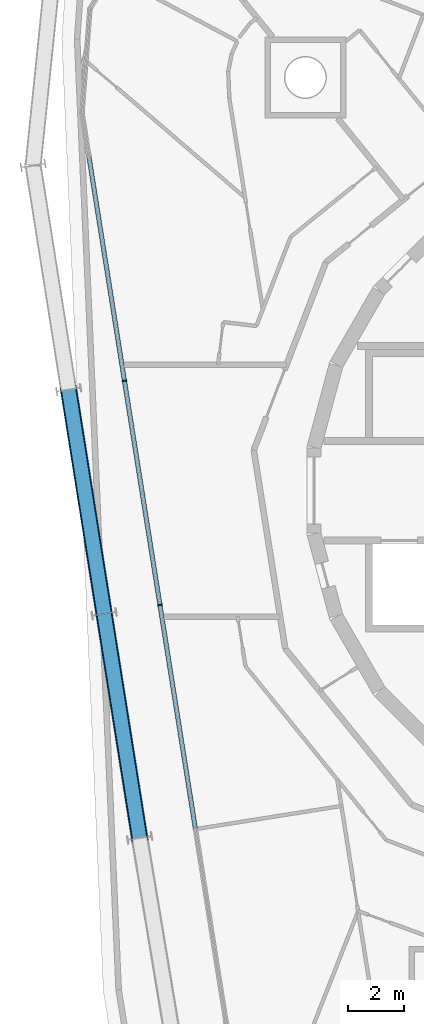
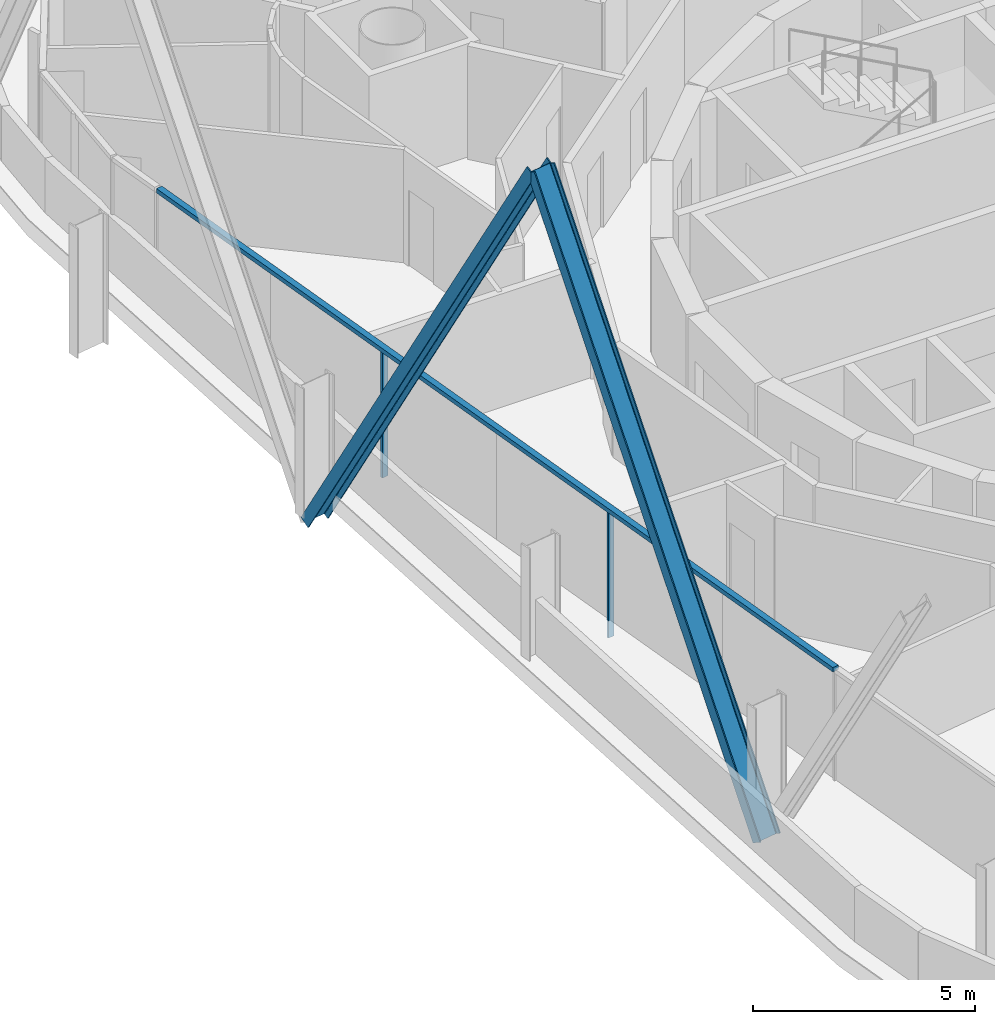
# One storey, part 3 of 19: 5 members, 1 element without a shape of its own.
"""IFC4 building model written with IfcOpenShell, lengths in metres."""

from ifc_helpers import new_model, si_unit, direction, frame, origin, origin_2d, place, context, subcontext, project, spatial, rectangle, i_section, extrude, material, layer, layer_set, material_profile, profile_set, type_object, element, aggregate, save


model = new_model("IFC4")

# Units and contexts
model_context = context("Model", 3, precision=1e-05, world=origin(), true_north=direction((0.0, 1.0)))
body_context = subcontext(model_context, "Body", "Model", "MODEL_VIEW")
ifc_project = project(units=[si_unit("LENGTHUNIT", "METRE"), si_unit("AREAUNIT", "SQUARE_METRE"), si_unit("VOLUMEUNIT", "CUBIC_METRE"), si_unit("PLANEANGLEUNIT", "RADIAN"), si_unit("MASSUNIT", "GRAM", prefix="KILO")], contexts=[model_context])

# Site, building, storey
site_placement = place(None, origin())
site = spatial("IfcSite", under=ifc_project, at=site_placement, CompositionType="ELEMENT")
building_placement = place(site_placement, origin())
building = spatial("IfcBuilding", under=site, at=building_placement, Name="Spindle Arch Residences", CompositionType="ELEMENT")
storey_placement = place(building_placement, frame((0.0, 0.0, 263.39990234375)))
storey = spatial("IfcBuildingStorey", under=building, at=storey_placement, Name="L67", CompositionType="ELEMENT", Elevation=263.39990234375)

# Curtain wall, members
ifc_material_1 = material(Name="Aluminium bronze unitised frame with tinted glass", Category="aluminium")
ifc_layer = layer(ifc_material_1, 0.159912109375)
ifc_layer_set = layer_set([ifc_layer], Name="CW-C typical residential unitised wall")
curtain_wall_type = type_object("IfcCurtainWallType", Name="CW-C typical residential unitised wall", PredefinedType="NOTDEFINED", material=ifc_layer_set)
curtain_wall_placement = place(storey_placement, origin())
curtain_wall = element("IfcCurtainWall", 1, at=curtain_wall_placement, inside=storey, type_object=curtain_wall_type, Name="CW-C L67 run 4", PredefinedType="NOTDEFINED")
ifc_material_2 = material(Name="Aluminium bronze anodised mullion", Category="aluminium")
ifc_material_profile_1 = material_profile(ifc_material_2, rectangle(XDim=0.159912109375, YDim=0.06005859375, at=origin_2d()), Name="MU 60x160")
ifc_profile_set_1 = profile_set([ifc_material_profile_1], Name="Aluminium bronze anodised mullion")
member_type_1 = type_object("IfcMemberType", Name="Bronze mullion 60x160", PredefinedType="MULLION", material=ifc_profile_set_1)
member_1_placement = place(storey_placement, frame((-18.417236328125, 3.923583984375, -0.449951171875), z_axis=(0.0, 0.0, 1.0), x_axis=(0.987688340595, 0.15643446504, 0.0)))
member_1 = element("IfcMember", 2, at=member_1_placement, type_object=member_type_1, Name="CW-C mullion 12", PredefinedType="MULLION", context=body_context, shape_type="SweptSolid", body=[
    extrude(rectangle(XDim=0.159912109375, YDim=0.06005859375, at=origin_2d()), origin(), (0.0, 0.0, 1.0), 3.449951171875),
])
member_2_placement = place(storey_placement, frame((-17.14892578125, -4.084228515625, -0.449951171875), z_axis=(0.0, 0.0, 1.0), x_axis=(0.987688340595, 0.15643446504, 0.0)))
member_2 = element("IfcMember", 3, at=member_2_placement, type_object=member_type_1, Name="CW-C mullion 13", PredefinedType="MULLION", context=body_context, shape_type="SweptSolid", body=[
    extrude(rectangle(XDim=0.159912109375, YDim=0.06005859375, at=origin_2d()), origin(), (0.0, 0.0, 1.0), 3.449951171875),
])
ifc_material_3 = material(Name="Aluminium bronze anodised transom", Category="aluminium")
ifc_material_profile_2 = material_profile(ifc_material_3, rectangle(XDim=0.159912109375, YDim=0.1201171875, at=origin_2d()), Name="TR 120x160")
ifc_profile_set_2 = profile_set([ifc_material_profile_2], Name="Aluminium bronze anodised transom")
member_type_2 = type_object("IfcMemberType", Name="Bronze transom 120x160", PredefinedType="USERDEFINED", material=ifc_profile_set_2)
member_3_placement = place(storey_placement, frame((-19.6806640625, 11.901611328125, 3.06005859375), z_axis=(0.156430704214, -0.987688936244, 0.0), x_axis=(0.987688936244, 0.156430704214, 0.0)))
member_3 = element("IfcMember", 4, at=member_3_placement, type_object=member_type_2, Name="CW-C transom 00", ObjectType="TRANSOM", PredefinedType="USERDEFINED", context=body_context, shape_type="SweptSolid", body=[
    extrude(rectangle(XDim=0.159912109375, YDim=0.1201171875, at=origin_2d()), origin(), (0.0, 0.0, 1.0), 24.262451171875),
])
aggregate(curtain_wall, [member_3, member_1, member_2])

# Members
ifc_material_4 = material(Name="Steel S460ML, intumescent coating R 240", Category="steel")
ifc_material_profile_3 = material_profile(ifc_material_4, i_section(OverallWidth=0.300048828125, OverallDepth=0.60009765625, WebThickness=0.015380859375, FlangeThickness=0.030029296875, FilletRadius=0.027099609375, at=origin_2d()), Name="HEB 600")
ifc_profile_set_3 = profile_set([ifc_material_profile_3], Name="Steel S460ML, intumescent coating R 240")
member_type_3 = type_object("IfcMemberType", Name="Diagrid diagonal HEB 600", PredefinedType="BRACE", material=ifc_profile_set_3)
for number, where, z_axis, x_axis, name in (
    (5, (-20.412353515625, 3.607666015625, -0.699951171875), (0.078118376836, -0.493126012361, 0.86644345178), (-0.135566824512, 0.855772102387, 0.49927521956), "Diagrid diagonal 7.1.13"),
    (6, (-17.87548828125, -12.407958984375, -0.699951171875), (-0.078103434227, 0.493126591462, 0.866444469285), (0.135541531612, -0.855777138958, 0.499273453776), "Diagrid diagonal 7.1.14"),
):
    element("IfcMember", number, at=place(storey_placement, frame(where, z_axis=z_axis, x_axis=x_axis)), inside=storey, type_object=member_type_3, Name=name, PredefinedType="BRACE", context=body_context, shape_type="SweptSolid", body=[
        extrude(i_section(OverallWidth=0.300048828125, OverallDepth=0.60009765625, WebThickness=0.015380859375, FlangeThickness=0.030029296875, FilletRadius=0.027099609375, at=origin_2d()), origin(), (0.0, 0.0, 1.0), 16.23876953125),
    ])

save(model, "model.ifc")
